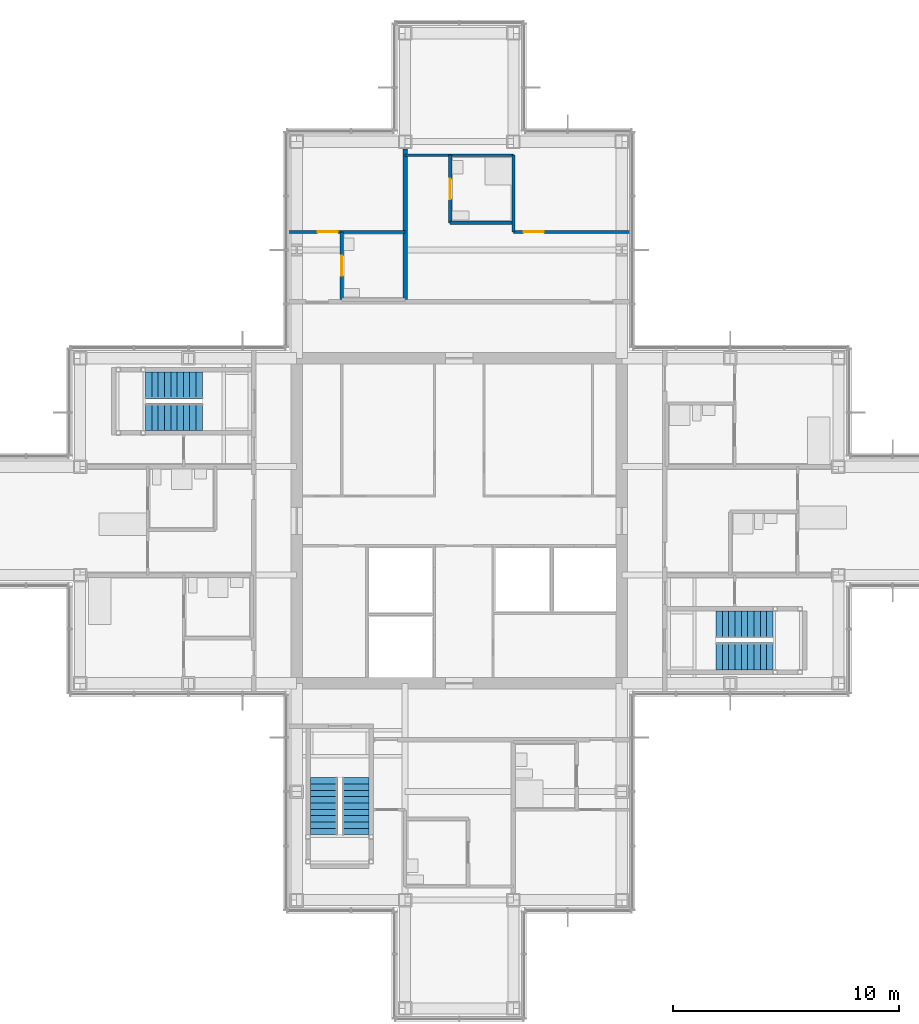
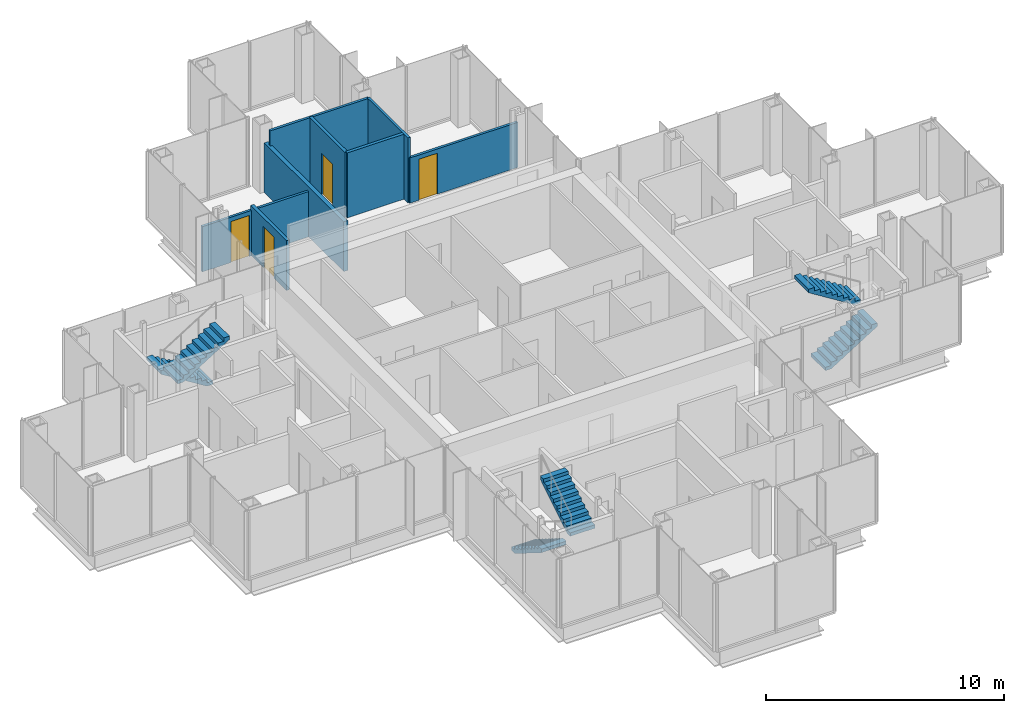
# One storey, part 14 of 17: 8 walls, 6 stair flights, 4 doors, 4 openings, 3 elements without a shape of their own.
"""IFC4 building model written with IfcOpenShell, lengths in metres."""

from ifc_helpers import new_model, si_unit, direction, frame, frame_2d, origin, place, context, subcontext, project, spatial, polyline, rectangle, outline, extrude, material, layer, layer_set, type_object, element, fill, aggregate, save


model = new_model("IFC4")

# Units and contexts
model_context = context("Model", 3, precision=1e-05, world=origin(), true_north=direction((0.0, 1.0)))
body_context = subcontext(model_context, "Body", "Model", "MODEL_VIEW")
ifc_project = project(units=[si_unit("LENGTHUNIT", "METRE"), si_unit("AREAUNIT", "SQUARE_METRE"), si_unit("VOLUMEUNIT", "CUBIC_METRE"), si_unit("PLANEANGLEUNIT", "RADIAN"), si_unit("MASSUNIT", "GRAM", prefix="KILO")], contexts=[model_context])

# Site, building, storey
site_placement = place(None, origin())
site = spatial("IfcSite", under=ifc_project, at=site_placement, CompositionType="ELEMENT")
building_placement = place(site_placement, origin())
building = spatial("IfcBuilding", under=site, at=building_placement, Name="Kvirike Care Tower", CompositionType="ELEMENT")
storey_placement = place(building_placement, frame((0.0, 0.0, 169.0)))
storey = spatial("IfcBuildingStorey", under=building, at=storey_placement, Name="L46", CompositionType="ELEMENT", Elevation=169.0)

# Wall, opening, door
ifc_material_1 = material(Name="Moisture-resistant board partition", Category="gypsum")
ifc_layer_1 = layer(ifc_material_1, 0.14990234375)
ifc_layer_set_1 = layer_set([ifc_layer_1], Name="BATHROOM WALL 150")
wall_type_1 = type_object("IfcWallType", Name="BATHROOM WALL 150", PredefinedType="PARTITIONING", material=ifc_layer_set_1)
wall_1_placement = place(storey_placement, frame((21.199951171875, 52.199951171875, 0.0), z_axis=(0.0, 0.0, 1.0), x_axis=(0.0, -1.0, 0.0)))
wall_1 = element("IfcWall", 1, at=wall_1_placement, inside=storey, type_object=wall_type_1, Name="Bathroom Wall 150 L46", PredefinedType="PARTITIONING", context=body_context, shape_type="SweptSolid", body=[
    extrude(rectangle(XDim=3.0, YDim=0.14990234375, at=frame_2d((1.5, 0.0))), origin(), (0.0, 0.0, 1.0), 3.330078125),
])
opening_1_placement = place(wall_1_placement, frame((1.050048828125, 0.0, 0.0)))
opening_1 = element("IfcOpeningElement", 2, at=opening_1_placement, cuts=wall_1, Name="Opening 46-017", PredefinedType="OPENING", context=body_context, shape_type="SweptSolid", body=[
    extrude(rectangle(XDim=0.89990234375, YDim=2.10009765625, at=frame_2d((0.449951171875, 1.050048828125))), frame((0.0, 0.08544921875, 0.0), z_axis=(0.0, -1.0, 0.0), x_axis=(1.0, 0.0, 0.0)), (0.0, 0.0, 1.0), 0.1708984375),
])
ifc_material_2 = material(Name="Timber door set", Category="wood")
door_type_1 = type_object("IfcDoorType", Name="BATHROOM DOOR 900", OperationType="SINGLE_SWING_RIGHT", PredefinedType="DOOR", material=ifc_material_2)
door_1_placement = place(opening_1_placement, origin())
door_1 = element("IfcDoor", 3, at=door_1_placement, inside=storey, type_object=door_type_1, Name="Assisted bathroom door", OperationType="SINGLE_SWING_RIGHT", OverallHeight=2.10009765625, OverallWidth=0.89990234375, PredefinedType="DOOR", context=body_context, shape_type="SweptSolid", body=[
    extrude(rectangle(XDim=0.89990234375, YDim=2.10009765625, at=frame_2d((0.449951171875, 1.050048828125))), frame((0.0, 0.02197265625, 0.0), z_axis=(0.0, -1.0, 0.0), x_axis=(1.0, 0.0, 0.0)), (0.0, 0.0, 1.0), 0.0439453125),
])
fill(opening_1, door_1)

# Wall
wall_2_placement = place(storey_placement, frame((24.0, 49.199951171875, 0.0), z_axis=(0.0, 0.0, 1.0), x_axis=(-1.0, 0.0, 0.0)))
element("IfcWall", 4, at=wall_2_placement, inside=storey, type_object=wall_type_1, Name="Bathroom Wall 150 L46", PredefinedType="PARTITIONING", context=body_context, shape_type="SweptSolid", body=[
    extrude(rectangle(XDim=2.800048828125, YDim=0.14990234375, at=frame_2d((1.39990234375, 0.0))), origin(), (0.0, 0.0, 1.0), 3.330078125),
])

# Wall, opening, door
wall_3_placement = place(storey_placement, frame((16.39990234375, 48.800048828125, 0.0), z_axis=(0.0, 0.0, 1.0), x_axis=(0.0, -1.0, 0.0)))
wall_3 = element("IfcWall", 5, at=wall_3_placement, inside=storey, type_object=wall_type_1, Name="Bathroom Wall 150 L46", PredefinedType="PARTITIONING", context=body_context, shape_type="SweptSolid", body=[
    extrude(rectangle(XDim=3.0, YDim=0.14990234375, at=frame_2d((1.5, 0.0))), origin(), (0.0, 0.0, 1.0), 2.550048828125),
])
opening_2_placement = place(wall_3_placement, frame((1.050048828125, 0.0, 0.0)))
opening_2 = element("IfcOpeningElement", 6, at=opening_2_placement, cuts=wall_3, Name="Opening 46-019", PredefinedType="OPENING", context=body_context, shape_type="SweptSolid", body=[
    extrude(rectangle(XDim=0.89990234375, YDim=2.10009765625, at=frame_2d((0.449951171875, 1.050048828125))), frame((0.0, 0.08544921875, 0.0), z_axis=(0.0, -1.0, 0.0), x_axis=(1.0, 0.0, 0.0)), (0.0, 0.0, 1.0), 0.1708984375),
])
door_2_placement = place(opening_2_placement, frame((0.89990234375, 0.0, 0.0), z_axis=(0.0, 0.0, 1.0), x_axis=(-1.0, 0.0, 0.0)))
door_2 = element("IfcDoor", 7, at=door_2_placement, inside=storey, type_object=door_type_1, Name="Staff WC door", OperationType="SINGLE_SWING_LEFT", OverallHeight=2.10009765625, OverallWidth=0.89990234375, PredefinedType="DOOR", context=body_context, shape_type="SweptSolid", body=[
    extrude(rectangle(XDim=0.89990234375, YDim=2.10009765625, at=frame_2d((0.449951171875, 1.050048828125))), frame((0.0, 0.02197265625, 0.0), z_axis=(0.0, -1.0, 0.0), x_axis=(1.0, 0.0, 0.0)), (0.0, 0.0, 1.0), 0.0439453125),
])
fill(opening_2, door_2)

ifc_material_3 = material(Name="Plasterboard partition", Category="gypsum")
ifc_layer_2 = layer(ifc_material_3, 0.1201171875)
ifc_layer_set_2 = layer_set([ifc_layer_2], Name="PARTITION 120")
wall_type_2 = type_object("IfcWallType", Name="PARTITION 120", PredefinedType="PARTITIONING", material=ifc_layer_set_2)
wall_4_placement = place(storey_placement, frame((29.25, 48.800048828125, 0.0), z_axis=(0.0, 0.0, 1.0), x_axis=(-1.0, 0.0, 0.0)))
wall_4 = element("IfcWall", 8, at=wall_4_placement, inside=storey, type_object=wall_type_2, Name="Partition 120 L46", PredefinedType="PARTITIONING", context=body_context, shape_type="SweptSolid", body=[
    extrude(rectangle(XDim=5.25, YDim=0.1201171875, at=frame_2d((2.625, 0.0))), origin(), (0.0, 0.0, 1.0), 2.320068359375),
])
opening_3_placement = place(wall_4_placement, frame((3.89990234375, 0.0, 0.0)))
opening_3 = element("IfcOpeningElement", 9, at=opening_3_placement, cuts=wall_4, Name="Opening 46-018", PredefinedType="OPENING", context=body_context, shape_type="SweptSolid", body=[
    extrude(rectangle(XDim=0.89990234375, YDim=2.10009765625, at=frame_2d((0.449951171875, 1.050048828125))), frame((0.0, 0.070556640625, 0.0), z_axis=(0.0, -1.0, 0.0), x_axis=(1.0, 0.0, 0.0)), (0.0, 0.0, 1.0), 0.14111328125),
])
ifc_material_4 = material(Name="Timber door set", Category="wood")
door_type_2 = type_object("IfcDoorType", Name="INTERNAL DOOR 900", OperationType="SINGLE_SWING_LEFT", PredefinedType="DOOR", material=ifc_material_4)
door_3_placement = place(opening_3_placement, origin())
door_3 = element("IfcDoor", 10, at=door_3_placement, inside=storey, type_object=door_type_2, Name="Activity room door", OperationType="SINGLE_SWING_RIGHT", OverallHeight=2.10009765625, OverallWidth=0.89990234375, PredefinedType="DOOR", context=body_context, shape_type="SweptSolid", body=[
    extrude(rectangle(XDim=0.89990234375, YDim=2.10009765625, at=frame_2d((0.449951171875, 1.050048828125))), frame((0.0, 0.02197265625, 0.0), z_axis=(0.0, -1.0, 0.0), x_axis=(1.0, 0.0, 0.0)), (0.0, 0.0, 1.0), 0.0439453125),
])
fill(opening_3, door_3)

# Walls
wall_5_placement = place(storey_placement, frame((24.0, 52.199951171875, 0.0), z_axis=(0.0, 0.0, 1.0), x_axis=(-1.0, 0.0, 0.0)))
element("IfcWall", 11, at=wall_5_placement, inside=storey, type_object=wall_type_2, Name="Partition 120 L46", PredefinedType="PARTITIONING", context=body_context, shape_type="SweptSolid", body=[
    extrude(rectangle(XDim=4.800048828125, YDim=0.1201171875, at=frame_2d((2.39990234375, 0.0))), origin(), (0.0, 0.0, 1.0), 3.330078125),
])
wall_6_placement = place(storey_placement, frame((24.0, 52.199951171875, 0.0), z_axis=(0.0, 0.0, 1.0), x_axis=(0.0, -1.0, 0.0)))
element("IfcWall", 12, at=wall_6_placement, inside=storey, type_object=wall_type_2, Name="Partition 120 L46", PredefinedType="PARTITIONING", context=body_context, shape_type="SweptSolid", body=[
    extrude(rectangle(XDim=3.39990234375, YDim=0.1201171875, at=frame_2d((1.699951171875, 0.0))), origin(), (0.0, 0.0, 1.0), 3.330078125),
])

# Wall, opening, door
wall_7_placement = place(storey_placement, frame((19.199951171875, 48.800048828125, 0.0), z_axis=(0.0, 0.0, 1.0), x_axis=(-1.0, 0.0, 0.0)))
wall_7 = element("IfcWall", 13, at=wall_7_placement, inside=storey, type_object=wall_type_2, Name="Partition 120 L46", PredefinedType="PARTITIONING", context=body_context, shape_type="SweptSolid", body=[
    extrude(rectangle(XDim=5.25, YDim=0.1201171875, at=frame_2d((2.625, 0.0))), origin(), (0.0, 0.0, 1.0), 2.320068359375),
])
opening_4_placement = place(wall_7_placement, frame((2.97509765625, 0.0, 0.0)))
opening_4 = element("IfcOpeningElement", 14, at=opening_4_placement, cuts=wall_7, Name="Opening 46-020", PredefinedType="OPENING", context=body_context, shape_type="SweptSolid", body=[
    extrude(rectangle(XDim=0.89990234375, YDim=2.10009765625, at=frame_2d((0.449951171875, 1.050048828125))), frame((0.0, 0.070556640625, 0.0), z_axis=(0.0, -1.0, 0.0), x_axis=(1.0, 0.0, 0.0)), (0.0, 0.0, 1.0), 0.14111328125),
])
door_4_placement = place(opening_4_placement, origin())
door_4 = element("IfcDoor", 15, at=door_4_placement, inside=storey, type_object=door_type_2, Name="Sensory therapy room door", OperationType="SINGLE_SWING_RIGHT", OverallHeight=2.10009765625, OverallWidth=0.89990234375, PredefinedType="DOOR", context=body_context, shape_type="SweptSolid", body=[
    extrude(rectangle(XDim=0.89990234375, YDim=2.10009765625, at=frame_2d((0.449951171875, 1.050048828125))), frame((0.0, 0.02197265625, 0.0), z_axis=(0.0, -1.0, 0.0), x_axis=(1.0, 0.0, 0.0)), (0.0, 0.0, 1.0), 0.0439453125),
])
fill(opening_4, door_4)

# Wall
ifc_material_5 = material(Name="Plasterboard party wall", Category="gypsum")
ifc_layer_3 = layer(ifc_material_5, 0.199951171875)
ifc_layer_set_3 = layer_set([ifc_layer_3], Name="PARTY WALL 200")
wall_type_3 = type_object("IfcWallType", Name="PARTY WALL 200", PredefinedType="PARTITIONING", material=ifc_layer_set_3)
wall_8_placement = place(storey_placement, frame((19.199951171875, 52.47998046875, 0.0), z_axis=(0.0, 0.0, 1.0), x_axis=(0.0, -1.0, 0.0)))
element("IfcWall", 16, at=wall_8_placement, inside=storey, type_object=wall_type_3, Name="Party Wall 200 L46", PredefinedType="PARTITIONING", context=body_context, shape_type="SweptSolid", body=[
    extrude(rectangle(XDim=6.679931640625, YDim=0.199951171875, at=frame_2d((3.33984375, 0.0))), origin(), (0.0, 0.0, 1.0), 2.550048828125),
])

# Stair, stair flights
ifc_material_6 = material(Name="Concrete C35/45", Category="concrete")
stair_type = type_object("IfcStairType", Name="STAIR 20 RISERS", PredefinedType="HALF_TURN_STAIR", material=ifc_material_6)
stair_1_placement = place(storey_placement, origin())
stair_1 = element("IfcStair", 17, at=stair_1_placement, inside=storey, type_object=stair_type, Name="Stair 1 L46", PredefinedType="HALF_TURN_STAIR")
ifc_material_7 = material(Name="Concrete C35/45", Category="concrete")
stair_flight_type = type_object("IfcStairFlightType", Name="FLIGHT 10 RISERS", PredefinedType="STRAIGHT", material=ifc_material_7)
stair_flight_1_placement = place(storey_placement, frame((10.219970703125, 42.0, 0.0), z_axis=(0.0, 0.0, 1.0), x_axis=(-1.0, 0.0, 0.0)))
stair_flight_1 = element("IfcStairFlight", 18, at=stair_flight_1_placement, type_object=stair_flight_type, Name="Stair S1 flight 1 L46-L47", NumberOfRisers=10, NumberOfTreads=9, PredefinedType="STRAIGHT", RiserHeight=0.175, TreadLength=0.28, context=body_context, shape_type="SweptSolid", body=[
    extrude(outline(polyline([(0.0, 0.0), (0.0, 0.175048828125), (0.280029296875, 0.175048828125), (0.280029296875, 0.35009765625), (0.56005859375, 0.35009765625), (0.56005859375, 0.52490234375), (0.840087890625, 0.52490234375), (0.840087890625, 0.699951171875), (1.1201171875, 0.699951171875), (1.1201171875, 0.875), (1.39990234375, 0.875), (1.39990234375, 1.050048828125), (1.679931640625, 1.050048828125), (1.679931640625, 1.22509765625), (1.9599609375, 1.22509765625), (1.9599609375, 1.39990234375), (2.239990234375, 1.39990234375), (2.239990234375, 1.574951171875), (2.52001953125, 1.574951171875), (2.52001953125, 1.75), (2.52001953125, 1.398193359375), (0.28271484375, 0.0), (0.0, 0.0)])), frame((0.0, 0.60009765625, 0.0), z_axis=(0.0, -1.0, 0.0), x_axis=(1.0, 0.0, 0.0)), (0.0, 0.0, 1.0), 1.199951171875),
])
stair_flight_2_placement = place(storey_placement, frame((7.699951171875, 40.60009765625, 1.75), z_axis=(0.0, 0.0, 1.0), x_axis=(1.0, 0.0, 0.0)))
stair_flight_2 = element("IfcStairFlight", 19, at=stair_flight_2_placement, type_object=stair_flight_type, Name="Stair S1 flight 2 L46-L47", NumberOfRisers=10, NumberOfTreads=9, PredefinedType="STRAIGHT", RiserHeight=0.175, TreadLength=0.28, context=body_context, shape_type="SweptSolid", body=[
    extrude(outline(polyline([(0.0, 0.0), (0.0, 0.175048828125), (0.280029296875, 0.175048828125), (0.280029296875, 0.35009765625), (0.56005859375, 0.35009765625), (0.56005859375, 0.52490234375), (0.840087890625, 0.52490234375), (0.840087890625, 0.699951171875), (1.1201171875, 0.699951171875), (1.1201171875, 0.875), (1.39990234375, 0.875), (1.39990234375, 1.050048828125), (1.679931640625, 1.050048828125), (1.679931640625, 1.22509765625), (1.9599609375, 1.22509765625), (1.9599609375, 1.39990234375), (2.239990234375, 1.39990234375), (2.239990234375, 1.574951171875), (2.52001953125, 1.574951171875), (2.52001953125, 1.75), (2.52001953125, 1.398193359375), (0.28271484375, 0.0), (0.0, 0.0)])), frame((0.0, 0.60009765625, 0.0), z_axis=(0.0, -1.0, 0.0), x_axis=(1.0, 0.0, 0.0)), (0.0, 0.0, 1.0), 1.199951171875),
])
aggregate(stair_1, [stair_flight_1, stair_flight_2])

stair_2_placement = place(storey_placement, origin())
stair_2 = element("IfcStair", 20, at=stair_2_placement, inside=storey, type_object=stair_type, Name="Stair 2 L46", PredefinedType="HALF_TURN_STAIR")
stair_flight_3_placement = place(storey_placement, frame((32.97998046875, 30.0, 0.0), z_axis=(0.0, 0.0, 1.0), x_axis=(1.0, 0.0, 0.0)))
stair_flight_3 = element("IfcStairFlight", 21, at=stair_flight_3_placement, type_object=stair_flight_type, Name="Stair S2 flight 1 L46-L47", NumberOfRisers=10, NumberOfTreads=9, PredefinedType="STRAIGHT", RiserHeight=0.175, TreadLength=0.28, context=body_context, shape_type="SweptSolid", body=[
    extrude(outline(polyline([(0.0, 0.0), (0.0, 0.175048828125), (0.280029296875, 0.175048828125), (0.280029296875, 0.35009765625), (0.56005859375, 0.35009765625), (0.56005859375, 0.52490234375), (0.840087890625, 0.52490234375), (0.840087890625, 0.699951171875), (1.1201171875, 0.699951171875), (1.1201171875, 0.875), (1.39990234375, 0.875), (1.39990234375, 1.050048828125), (1.679931640625, 1.050048828125), (1.679931640625, 1.22509765625), (1.9599609375, 1.22509765625), (1.9599609375, 1.39990234375), (2.239990234375, 1.39990234375), (2.239990234375, 1.574951171875), (2.52001953125, 1.574951171875), (2.52001953125, 1.75), (2.52001953125, 1.398193359375), (0.28271484375, 0.0), (0.0, 0.0)])), frame((0.0, 0.60009765625, 0.0), z_axis=(0.0, -1.0, 0.0), x_axis=(1.0, 0.0, 0.0)), (0.0, 0.0, 1.0), 1.199951171875),
])
stair_flight_4_placement = place(storey_placement, frame((35.5, 31.39990234375, 1.75), z_axis=(0.0, 0.0, 1.0), x_axis=(-1.0, 0.0, 0.0)))
stair_flight_4 = element("IfcStairFlight", 22, at=stair_flight_4_placement, type_object=stair_flight_type, Name="Stair S2 flight 2 L46-L47", NumberOfRisers=10, NumberOfTreads=9, PredefinedType="STRAIGHT", RiserHeight=0.175, TreadLength=0.28, context=body_context, shape_type="SweptSolid", body=[
    extrude(outline(polyline([(0.0, 0.0), (0.0, 0.175048828125), (0.280029296875, 0.175048828125), (0.280029296875, 0.35009765625), (0.56005859375, 0.35009765625), (0.56005859375, 0.52490234375), (0.840087890625, 0.52490234375), (0.840087890625, 0.699951171875), (1.1201171875, 0.699951171875), (1.1201171875, 0.875), (1.39990234375, 0.875), (1.39990234375, 1.050048828125), (1.679931640625, 1.050048828125), (1.679931640625, 1.22509765625), (1.9599609375, 1.22509765625), (1.9599609375, 1.39990234375), (2.239990234375, 1.39990234375), (2.239990234375, 1.574951171875), (2.52001953125, 1.574951171875), (2.52001953125, 1.75), (2.52001953125, 1.398193359375), (0.28271484375, 0.0), (0.0, 0.0)])), frame((0.0, 0.60009765625, 0.0), z_axis=(0.0, -1.0, 0.0), x_axis=(1.0, 0.0, 0.0)), (0.0, 0.0, 1.0), 1.199951171875),
])
aggregate(stair_2, [stair_flight_3, stair_flight_4])

stair_3_placement = place(storey_placement, origin())
stair_3 = element("IfcStair", 23, at=stair_3_placement, inside=storey, type_object=stair_type, Name="Stair 5 L46", PredefinedType="HALF_TURN_STAIR")
stair_flight_5_placement = place(storey_placement, frame((15.60009765625, 24.6201171875, 0.0), z_axis=(0.0, 0.0, 1.0), x_axis=(0.0, -1.0, 0.0)))
stair_flight_5 = element("IfcStairFlight", 24, at=stair_flight_5_placement, type_object=stair_flight_type, Name="Stair S5 flight 1 L46-L47", NumberOfRisers=10, NumberOfTreads=9, PredefinedType="STRAIGHT", RiserHeight=0.175, TreadLength=0.28, context=body_context, shape_type="SweptSolid", body=[
    extrude(outline(polyline([(0.0, 0.0), (0.0, 0.175048828125), (0.280029296875, 0.175048828125), (0.280029296875, 0.35009765625), (0.56005859375, 0.35009765625), (0.56005859375, 0.52490234375), (0.840087890625, 0.52490234375), (0.840087890625, 0.699951171875), (1.1201171875, 0.699951171875), (1.1201171875, 0.875), (1.39990234375, 0.875), (1.39990234375, 1.050048828125), (1.679931640625, 1.050048828125), (1.679931640625, 1.22509765625), (1.9599609375, 1.22509765625), (1.9599609375, 1.39990234375), (2.239990234375, 1.39990234375), (2.239990234375, 1.574951171875), (2.52001953125, 1.574951171875), (2.52001953125, 1.75), (2.52001953125, 1.398193359375), (0.28271484375, 0.0), (0.0, 0.0)])), frame((0.0, 0.60009765625, 0.0), z_axis=(0.0, -1.0, 0.0), x_axis=(1.0, 0.0, 0.0)), (0.0, 0.0, 1.0), 1.199951171875),
])
stair_flight_6_placement = place(storey_placement, frame((17.0, 22.10009765625, 1.75), z_axis=(0.0, 0.0, 1.0), x_axis=(0.0, 1.0, 0.0)))
stair_flight_6 = element("IfcStairFlight", 25, at=stair_flight_6_placement, type_object=stair_flight_type, Name="Stair S5 flight 2 L46-L47", NumberOfRisers=10, NumberOfTreads=9, PredefinedType="STRAIGHT", RiserHeight=0.175, TreadLength=0.28, context=body_context, shape_type="SweptSolid", body=[
    extrude(outline(polyline([(0.0, 0.0), (0.0, 0.175048828125), (0.280029296875, 0.175048828125), (0.280029296875, 0.35009765625), (0.56005859375, 0.35009765625), (0.56005859375, 0.52490234375), (0.840087890625, 0.52490234375), (0.840087890625, 0.699951171875), (1.1201171875, 0.699951171875), (1.1201171875, 0.875), (1.39990234375, 0.875), (1.39990234375, 1.050048828125), (1.679931640625, 1.050048828125), (1.679931640625, 1.22509765625), (1.9599609375, 1.22509765625), (1.9599609375, 1.39990234375), (2.239990234375, 1.39990234375), (2.239990234375, 1.574951171875), (2.52001953125, 1.574951171875), (2.52001953125, 1.75), (2.52001953125, 1.398193359375), (0.28271484375, 0.0), (0.0, 0.0)])), frame((0.0, 0.60009765625, 0.0), z_axis=(0.0, -1.0, 0.0), x_axis=(1.0, 0.0, 0.0)), (0.0, 0.0, 1.0), 1.199951171875),
])
aggregate(stair_3, [stair_flight_5, stair_flight_6])

save(model, "model.ifc")
